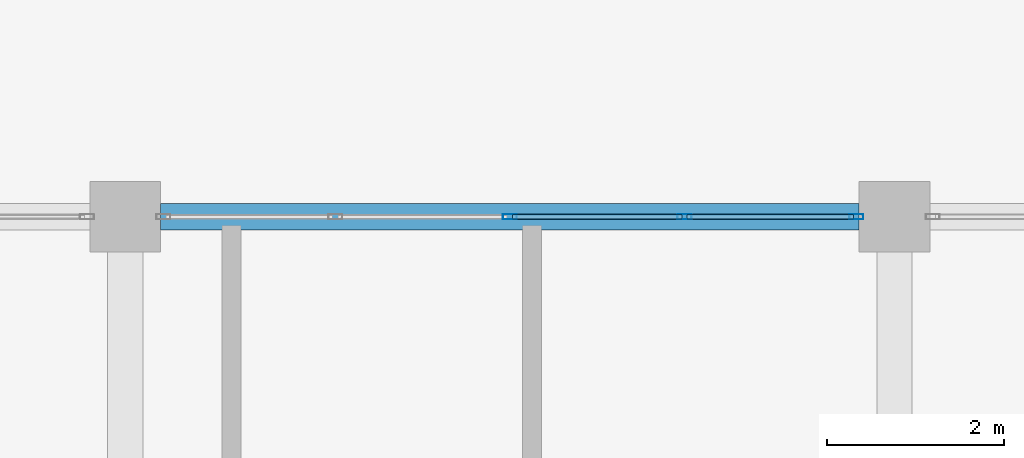
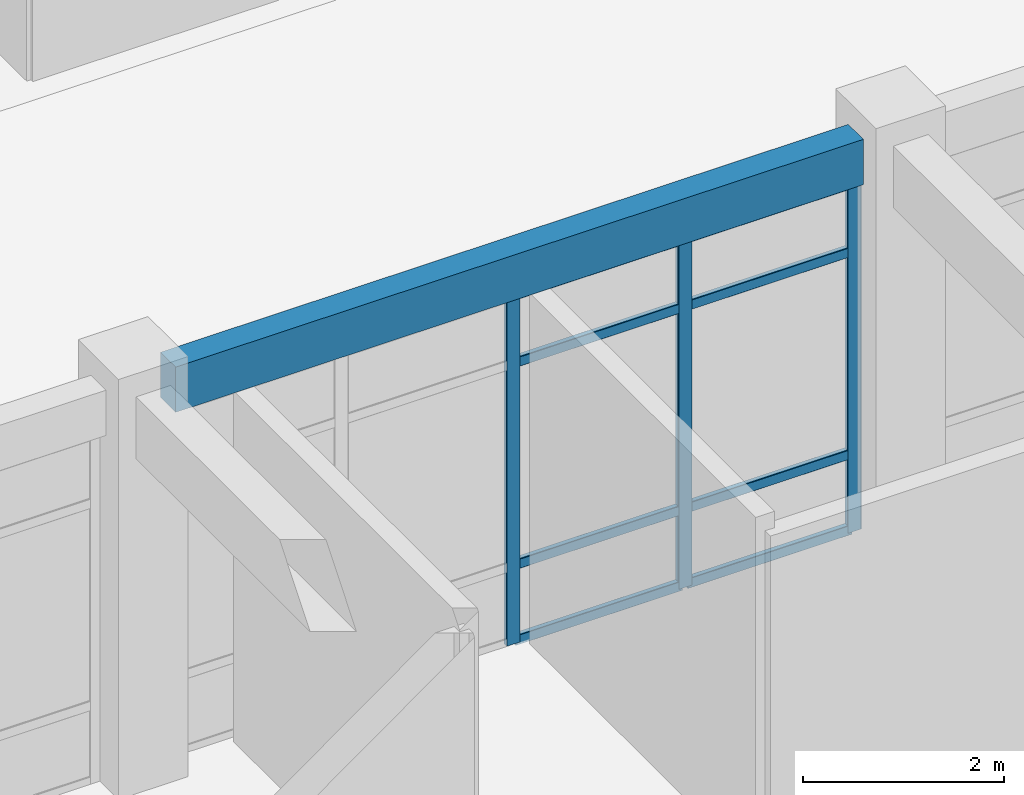
# One storey, part 54 of 124: 11 members, 1 beam, 1 element without a shape of its own.
"""IFC4 building model written with IfcOpenShell, lengths in metres."""

import ifcopenshell
import ifcopenshell.guid

model = None  # the IFC model being written
_history = None  # IfcOwnerHistory: only IFC2X3 demands one
_inside = {}  # id of a spatial element -> (the spatial element, [elements in it])
_under = {}  # id of a project, library or spatial element -> (it, [spatial elements below it])
_declared = {}  # id of a project -> (the project, [libraries it declares])
_typed = {}  # id of a type object -> (the type object, [elements of that type])
_made_of = {}  # id of a material, layer set ... -> (it, [elements and type objects made of it])


def new_model(schema):
    """Start an empty IFC model of exactly this schema.

    Asked for "IFC4X3", IfcOpenShell would pick the latest addendum, in which some entities
    have other attributes; the version numbers below select the first issue.
    IFC2X3 requires an IfcOwnerHistory on every rooted entity: one is made here for all.
    """
    global model, _history
    if schema == "IFC4X3":
        model = ifcopenshell.file(schema_version=(4, 3, 0, 0))
    else:
        model = ifcopenshell.file(schema=schema)
    _inside.clear()
    _under.clear()
    _declared.clear()
    _typed.clear()
    _made_of.clear()
    _history = None
    if model.schema == "IFC2X3":
        org = make("IfcOrganization", Name="unknown")
        user = make(
            "IfcPersonAndOrganization",
            ThePerson=make("IfcPerson", FamilyName="unknown"),
            TheOrganization=org,
        )
        app = make(
            "IfcApplication",
            ApplicationDeveloper=org,
            Version="unknown",
            ApplicationFullName="unknown",
            ApplicationIdentifier="unknown",
        )
        _history = make(
            "IfcOwnerHistory",
            OwningUser=user,
            OwningApplication=app,
            ChangeAction="ADDED",
            CreationDate=0,
        )
    return model


def make(cls, **values):
    """One entity of the class cls with the attributes given. An attribute that is None is left unset."""
    return model.create_entity(
        cls, **{name: value for name, value in values.items() if value is not None}
    )


def rooted(cls, **values):
    """An entity with a GlobalId (a new one), such as an element, a storey or a relation."""
    return make(cls, GlobalId=ifcopenshell.guid.new(), OwnerHistory=_history, **values)


def si_unit(unit_type, name, prefix=None):
    """IfcSIUnit, for example si_unit("LENGTHUNIT", "METRE", prefix="MILLI")."""
    return make("IfcSIUnit", UnitType=unit_type, Prefix=prefix, Name=name)


def derived_unit(unit_type, elements):
    """IfcDerivedUnit: a product of units, each with its exponent."""
    return make(
        "IfcDerivedUnit",
        Elements=[
            make("IfcDerivedUnitElement", Unit=unit, Exponent=power)
            for unit, power in elements
        ],
        UnitType=unit_type,
    )


def assignment(units):
    """IfcUnitAssignment: the units of a project."""
    return None if units is None else make("IfcUnitAssignment", Units=units)


def point(xyz):
    """IfcCartesianPoint."""
    return None if xyz is None else make("IfcCartesianPoint", Coordinates=xyz)


def direction(xyz):
    """IfcDirection."""
    return None if xyz is None else make("IfcDirection", DirectionRatios=xyz)


def frame(location, z_axis=None, x_axis=None):
    """IfcAxis2Placement3D, a coordinate frame: its origin and axes. An axis left out is left unset."""
    return make(
        "IfcAxis2Placement3D",
        Location=point(location),
        Axis=direction(z_axis),
        RefDirection=direction(x_axis),
    )


def frame_2d(location, x_axis=None):
    """IfcAxis2Placement2D, a coordinate frame in the plane: its origin and x axis."""
    return make(
        "IfcAxis2Placement2D", Location=point(location), RefDirection=direction(x_axis)
    )


def origin():
    """The frame at (0, 0, 0) with its axes left unset."""
    return frame((0.0, 0.0, 0.0))


def origin_2d():
    """The frame at (0, 0) in the plane with its x axis left unset."""
    return frame_2d((0.0, 0.0))


def place(relative_to, where):
    """IfcLocalPlacement: puts the frame where relative to a parent placement (None: the world)."""
    return make(
        "IfcLocalPlacement", PlacementRelTo=relative_to, RelativePlacement=where
    )


def context(
    kind, dimensions, precision=None, world=None, true_north=None, identifier=None
):
    """IfcGeometricRepresentationContext, for example the 3D "Model" context."""
    return make(
        "IfcGeometricRepresentationContext",
        ContextIdentifier=identifier,
        ContextType=kind,
        CoordinateSpaceDimension=dimensions,
        Precision=precision,
        WorldCoordinateSystem=world,
        TrueNorth=true_north,
    )


def subcontext(parent, identifier, kind, view, scale=None):
    """IfcGeometricRepresentationSubContext, for example "Body" below "Model"."""
    return make(
        "IfcGeometricRepresentationSubContext",
        ContextIdentifier=identifier,
        ContextType=kind,
        ParentContext=parent,
        TargetScale=scale,
        TargetView=view,
    )


def project(units=None, contexts=None):
    """IfcProject with its units and contexts."""
    return rooted(
        "IfcProject",
        Name="project",
        RepresentationContexts=contexts,
        UnitsInContext=assignment(units),
    )


def spatial(cls, under=None, at=None, **own):
    """A site, building, storey or space (cls), placed at a placement, below another one or the project."""
    s = rooted(cls, ObjectPlacement=at, **own)
    if under is not None:
        _under.setdefault(under.id(), (under, []))[1].append(s)
    return s


def profile(cls, at=None, kind="AREA", **sizes):
    """A parametric profile (cls). Its sizes go by their IFC names, for example OverallWidth=200.0."""
    return make(cls, ProfileType=kind, Position=at, **sizes)


def rectangle(**sizes):
    """IfcRectangleProfileDef."""
    return profile("IfcRectangleProfileDef", **sizes)


def hollow_rectangle(**sizes):
    """IfcRectangleHollowProfileDef."""
    return profile("IfcRectangleHollowProfileDef", **sizes)


def extrude(swept, where, along, depth):
    """IfcExtrudedAreaSolid: the profile swept, set in the frame where, extruded along a direction by depth."""
    return make(
        "IfcExtrudedAreaSolid",
        SweptArea=swept,
        Position=where,
        ExtrudedDirection=direction(along),
        Depth=depth,
    )


def shape(context_of_items, identifier, shape_type, items):
    """IfcShapeRepresentation: the items that make up one representation, for example the "Body"."""
    return make(
        "IfcShapeRepresentation",
        ContextOfItems=context_of_items,
        RepresentationIdentifier=identifier,
        RepresentationType=shape_type,
        Items=items,
    )


def material(Name=None, Category=None):
    """IfcMaterial."""
    return make("IfcMaterial", Name=Name, Category=Category)


def layer(
    of_material, thickness, ventilated=None, Name=None, Category=None, Priority=None
):
    """IfcMaterialLayer: one layer of a wall or slab, of a material (None: an air gap)."""
    return make(
        "IfcMaterialLayer",
        Material=of_material,
        LayerThickness=thickness,
        IsVentilated=ventilated,
        Name=Name,
        Category=Category,
        Priority=Priority,
    )


def layer_set(layers, Name=None):
    """IfcMaterialLayerSet."""
    return make("IfcMaterialLayerSet", MaterialLayers=layers, LayerSetName=Name)


def material_profile(
    of_material, cross_section, Name=None, Category=None, Priority=None
):
    """IfcMaterialProfile: a cross section and its material."""
    return make(
        "IfcMaterialProfile",
        Name=Name,
        Material=of_material,
        Profile=cross_section,
        Priority=Priority,
        Category=Category,
    )


def profile_set(profiles, Name=None, composite=None):
    """IfcMaterialProfileSet."""
    return make(
        "IfcMaterialProfileSet",
        Name=Name,
        MaterialProfiles=profiles,
        CompositeProfile=composite,
    )


def made_of(thing, what):
    """Note that an element or type object is made of a material, layer set ...; save() writes the relation."""
    if what is not None:
        _made_of.setdefault(what.id(), (what, []))[1].append(thing)
    return thing


def type_object(cls, material=None, **own):
    """A type object (cls), such as IfcWallType, which elements share."""
    return made_of(rooted(cls, **own), material)


def element(
    cls,
    number,
    at=None,
    inside=None,
    cuts=None,
    type_object=None,
    material=None,
    context=None,
    identifier="Body",
    shape_type=None,
    held_by="IfcProductDefinitionShape",
    body=None,
    shapes=None,
    **own,
):
    """One element of the class cls, such as IfcWall. Its Tag is "e" and its number.

    at: its placement. inside: the storey or other place that contains it. cuts: it is an
    opening in that element (IfcRelVoidsElement). A single representation is given by context,
    identifier, shape_type and body (its items); several are given by shapes. held_by: the class
    of the entity that holds the representations. save() writes the other relations.
    """
    e = rooted(cls, Tag="e%d" % number, ObjectPlacement=at, **own)
    if body is not None:
        shapes = [shape(context, identifier, shape_type, body)]
    if shapes is not None:
        e.Representation = make(held_by, Representations=shapes)
    if inside is not None:
        _inside.setdefault(inside.id(), (inside, []))[1].append(e)
    if cuts is not None:
        rooted(
            "IfcRelVoidsElement", RelatingBuildingElement=cuts, RelatedOpeningElement=e
        )
    if type_object is not None:
        _typed.setdefault(type_object.id(), (type_object, []))[1].append(e)
    return made_of(e, material)


def aggregate(whole, parts):
    """IfcRelAggregates: a whole, such as a stair, and the parts it consists of."""
    return rooted("IfcRelAggregates", RelatingObject=whole, RelatedObjects=parts)


def save(model, path):
    """Write the relations noted so far, then the file.

    IfcRelAggregates (storeys below a building ...), IfcRelContainedInSpatialStructure (elements
    in a storey), IfcRelDefinesByType, IfcRelAssociatesMaterial and IfcRelDeclares: one each for
    every whole, place, type object, material and project.
    """
    for whole, parts in _under.values():
        aggregate(whole, parts)
    for where, things in _inside.values():
        rooted(
            "IfcRelContainedInSpatialStructure",
            RelatedElements=things,
            RelatingStructure=where,
        )
    for kind, things in _typed.values():
        rooted("IfcRelDefinesByType", RelatedObjects=things, RelatingType=kind)
    for what, things in _made_of.values():
        rooted("IfcRelAssociatesMaterial", RelatedObjects=things, RelatingMaterial=what)
    for by, libraries in _declared.values():
        rooted("IfcRelDeclares", RelatingContext=by, RelatedDefinitions=libraries)
    model.write(path)


model = new_model("IFC4")

# Units and contexts
model_context = context("Model", 3, precision=1e-05, world=origin(), true_north=direction((0.0, 1.0)))
body_context = subcontext(model_context, "Body", "Model", "MODEL_VIEW")
ifc_project = project(units=[si_unit("LENGTHUNIT", "METRE"), si_unit("AREAUNIT", "SQUARE_METRE"), si_unit("VOLUMEUNIT", "CUBIC_METRE"), si_unit("PLANEANGLEUNIT", "RADIAN"), si_unit("MASSUNIT", "GRAM", prefix="KILO"), derived_unit("THERMALTRANSMITTANCEUNIT", [(si_unit("MASSUNIT", "GRAM", prefix="KILO"), 1), (si_unit("TIMEUNIT", "SECOND"), -3), (si_unit("THERMODYNAMICTEMPERATUREUNIT", "KELVIN"), -1)])], contexts=[model_context])

# Site, building, storey
site_placement = place(None, origin())
site = spatial("IfcSite", under=ifc_project, at=site_placement, CompositionType="ELEMENT")
building_placement = place(site_placement, origin())
building = spatial("IfcBuilding", under=site, at=building_placement, Name="Qinzheling Arcade Emporium", CompositionType="ELEMENT")
storey_placement = place(building_placement, frame((0.0, 0.0, 16.5)))
storey = spatial("IfcBuildingStorey", under=building, at=storey_placement, Name="L04", CompositionType="ELEMENT", Elevation=16.5)

# Curtain wall, members
ifc_material_1 = material(Name="Anodised aluminium and solar-control double glazing", Category="aluminium")
ifc_layer = layer(ifc_material_1, 0.159912109375, Name="Anodised aluminium and solar-control double glazing", Category="aluminium")
ifc_layer_set = layer_set([ifc_layer], Name="Anodised aluminium and solar-control double glazing")
curtain_wall_type = type_object("IfcCurtainWallType", Name="Atrium Clerestory Curtain Wall", PredefinedType="NOTDEFINED", material=ifc_layer_set)
curtain_wall_placement = place(storey_placement, origin())
curtain_wall = element("IfcCurtainWall", 1, at=curtain_wall_placement, inside=storey, type_object=curtain_wall_type, Name="Curtain Wall CW-L04-248", PredefinedType="NOTDEFINED")
ifc_material_2 = material(Name="Anodised aluminium 6063-T6", Category="aluminium")
ifc_material_profile_1 = material_profile(ifc_material_2, hollow_rectangle(XDim=0.06005859375, YDim=0.159912109375, WallThickness=0.00390625, InnerFilletRadius=0.00390625, OuterFilletRadius=0.008056640625, at=origin_2d()), Name="RHS 160x60x4", Category="aluminium")
ifc_profile_set_1 = profile_set([ifc_material_profile_1], Name="Anodised aluminium 6063-T6")
member_type_1 = type_object("IfcMemberType", Name="Curtain Wall Mullion RHS160x60", PredefinedType="MULLION", material=ifc_profile_set_1)
member_1_placement = place(storey_placement, frame((91.35009765625, 73.800048828125, 0.0), z_axis=(0.0, 0.0, 1.0), x_axis=(0.0, 1.0, 0.0)))
member_1 = element("IfcMember", 2, at=member_1_placement, type_object=member_type_1, Name="CW03 mullion 3", PredefinedType="MULLION", context=body_context, shape_type="SweptSolid", body=[
    extrude(hollow_rectangle(XDim=0.06005859375, YDim=0.159912109375, WallThickness=0.00390625, InnerFilletRadius=0.00390625, OuterFilletRadius=0.008056640625, at=origin_2d()), origin(), (0.0, 0.0, 1.0), 4.2548828125),
])
member_2_placement = place(storey_placement, frame((93.323974609375, 73.800048828125, 0.0), z_axis=(0.0, 0.0, 1.0), x_axis=(0.0, 1.0, 0.0)))
member_2 = element("IfcMember", 3, at=member_2_placement, type_object=member_type_1, Name="CW03 mullion 4", PredefinedType="MULLION", context=body_context, shape_type="SweptSolid", body=[
    extrude(hollow_rectangle(XDim=0.06005859375, YDim=0.159912109375, WallThickness=0.00390625, InnerFilletRadius=0.00390625, OuterFilletRadius=0.008056640625, at=origin_2d()), origin(), (0.0, 0.0, 1.0), 4.2548828125),
])
member_3_placement = place(storey_placement, frame((95.26806640625, 73.800048828125, 0.0), z_axis=(0.0, 0.0, 1.0), x_axis=(0.0, 1.0, 0.0)))
member_3 = element("IfcMember", 4, at=member_3_placement, type_object=member_type_1, Name="CW03 mullion 5", PredefinedType="MULLION", context=body_context, shape_type="SweptSolid", body=[
    extrude(hollow_rectangle(XDim=0.06005859375, YDim=0.159912109375, WallThickness=0.00390625, InnerFilletRadius=0.00390625, OuterFilletRadius=0.008056640625, at=origin_2d()), origin(), (0.0, 0.0, 1.0), 4.2548828125),
])
ifc_material_profile_2 = material_profile(ifc_material_2, hollow_rectangle(XDim=0.06005859375, YDim=0.1201171875, WallThickness=0.00390625, InnerFilletRadius=0.00390625, OuterFilletRadius=0.008056640625, at=origin_2d()), Name="RHS 120x60x4", Category="aluminium")
ifc_profile_set_2 = profile_set([ifc_material_profile_2], Name="Anodised aluminium 6063-T6")
member_type_2 = type_object("IfcMemberType", Name="Curtain Wall Transom RHS120x60", PredefinedType="USERDEFINED", material=ifc_profile_set_2)
member_4_placement = place(storey_placement, frame((91.3798828125, 73.800048828125, 0.030029296875), z_axis=(1.0, 0.0, 0.0), x_axis=(0.0, 1.0, 0.0)))
member_4 = element("IfcMember", 5, at=member_4_placement, type_object=member_type_2, Name="CW03 transom 3.1", ObjectType="TRANSOM", PredefinedType="USERDEFINED", context=body_context, shape_type="SweptSolid", body=[
    extrude(hollow_rectangle(XDim=0.06005859375, YDim=0.1201171875, WallThickness=0.00390625, InnerFilletRadius=0.00390625, OuterFilletRadius=0.008056640625, at=origin_2d()), origin(), (0.0, 0.0, 1.0), 1.9140625),
])
member_5_placement = place(storey_placement, frame((91.3798828125, 73.800048828125, 0.949951171875), z_axis=(1.0, 0.0, 0.0), x_axis=(0.0, 1.0, 0.0)))
member_5 = element("IfcMember", 6, at=member_5_placement, type_object=member_type_2, Name="CW03 transom 3.2", ObjectType="TRANSOM", PredefinedType="USERDEFINED", context=body_context, shape_type="SweptSolid", body=[
    extrude(hollow_rectangle(XDim=0.06005859375, YDim=0.1201171875, WallThickness=0.00390625, InnerFilletRadius=0.00390625, OuterFilletRadius=0.008056640625, at=origin_2d()), origin(), (0.0, 0.0, 1.0), 1.9140625),
])
member_6_placement = place(storey_placement, frame((91.3798828125, 73.800048828125, 3.405029296875), z_axis=(1.0, 0.0, 0.0), x_axis=(0.0, 1.0, 0.0)))
member_6 = element("IfcMember", 7, at=member_6_placement, type_object=member_type_2, Name="CW03 transom 3.3", ObjectType="TRANSOM", PredefinedType="USERDEFINED", context=body_context, shape_type="SweptSolid", body=[
    extrude(hollow_rectangle(XDim=0.06005859375, YDim=0.1201171875, WallThickness=0.00390625, InnerFilletRadius=0.00390625, OuterFilletRadius=0.008056640625, at=origin_2d()), origin(), (0.0, 0.0, 1.0), 1.9140625),
])
member_7_placement = place(storey_placement, frame((91.3798828125, 73.800048828125, 4.22509765625), z_axis=(1.0, 0.0, 0.0), x_axis=(0.0, 1.0, 0.0)))
member_7 = element("IfcMember", 8, at=member_7_placement, type_object=member_type_2, Name="CW03 transom 3.4", ObjectType="TRANSOM", PredefinedType="USERDEFINED", context=body_context, shape_type="SweptSolid", body=[
    extrude(hollow_rectangle(XDim=0.06005859375, YDim=0.1201171875, WallThickness=0.00390625, InnerFilletRadius=0.00390625, OuterFilletRadius=0.008056640625, at=origin_2d()), origin(), (0.0, 0.0, 1.0), 1.9140625),
])
member_8_placement = place(storey_placement, frame((93.35400390625, 73.800048828125, 0.030029296875), z_axis=(1.0, 0.0, 0.0), x_axis=(0.0, 1.0, 0.0)))
member_8 = element("IfcMember", 9, at=member_8_placement, type_object=member_type_2, Name="CW03 transom 4.1", ObjectType="TRANSOM", PredefinedType="USERDEFINED", context=body_context, shape_type="SweptSolid", body=[
    extrude(hollow_rectangle(XDim=0.06005859375, YDim=0.1201171875, WallThickness=0.00390625, InnerFilletRadius=0.00390625, OuterFilletRadius=0.008056640625, at=origin_2d()), origin(), (0.0, 0.0, 1.0), 1.884033203125),
])
member_9_placement = place(storey_placement, frame((93.35400390625, 73.800048828125, 0.949951171875), z_axis=(1.0, 0.0, 0.0), x_axis=(0.0, 1.0, 0.0)))
member_9 = element("IfcMember", 10, at=member_9_placement, type_object=member_type_2, Name="CW03 transom 4.2", ObjectType="TRANSOM", PredefinedType="USERDEFINED", context=body_context, shape_type="SweptSolid", body=[
    extrude(hollow_rectangle(XDim=0.06005859375, YDim=0.1201171875, WallThickness=0.00390625, InnerFilletRadius=0.00390625, OuterFilletRadius=0.008056640625, at=origin_2d()), origin(), (0.0, 0.0, 1.0), 1.884033203125),
])
member_10_placement = place(storey_placement, frame((93.35400390625, 73.800048828125, 3.405029296875), z_axis=(1.0, 0.0, 0.0), x_axis=(0.0, 1.0, 0.0)))
member_10 = element("IfcMember", 11, at=member_10_placement, type_object=member_type_2, Name="CW03 transom 4.3", ObjectType="TRANSOM", PredefinedType="USERDEFINED", context=body_context, shape_type="SweptSolid", body=[
    extrude(hollow_rectangle(XDim=0.06005859375, YDim=0.1201171875, WallThickness=0.00390625, InnerFilletRadius=0.00390625, OuterFilletRadius=0.008056640625, at=origin_2d()), origin(), (0.0, 0.0, 1.0), 1.884033203125),
])
member_11_placement = place(storey_placement, frame((93.35400390625, 73.800048828125, 4.22509765625), z_axis=(1.0, 0.0, 0.0), x_axis=(0.0, 1.0, 0.0)))
member_11 = element("IfcMember", 12, at=member_11_placement, type_object=member_type_2, Name="CW03 transom 4.4", ObjectType="TRANSOM", PredefinedType="USERDEFINED", context=body_context, shape_type="SweptSolid", body=[
    extrude(hollow_rectangle(XDim=0.06005859375, YDim=0.1201171875, WallThickness=0.00390625, InnerFilletRadius=0.00390625, OuterFilletRadius=0.008056640625, at=origin_2d()), origin(), (0.0, 0.0, 1.0), 1.884033203125),
])
aggregate(curtain_wall, [member_1, member_2, member_3, member_4, member_5, member_6, member_7, member_8, member_9, member_10, member_11])

# Beam
ifc_material_3 = material(Name="Concrete C40", Category="concrete")
ifc_material_profile_3 = material_profile(ifc_material_3, rectangle(XDim=0.300048828125, YDim=0.550048828125, at=origin_2d()), Name="RC 300x550", Category="concrete")
ifc_profile_set_3 = profile_set([ifc_material_profile_3], Name="Concrete C40")
beam_type = type_object("IfcBeamType", Name="RC Terrace Spandrel Beam 300x550 C40", PredefinedType="SPANDREL", material=ifc_profile_set_3)
beam_placement = place(storey_placement, frame((87.39990234375, 73.800048828125, 4.544921875), z_axis=(1.0, 0.0, 0.0), x_axis=(0.0, 1.0, 0.0)))
element("IfcBeam", 13, at=beam_placement, inside=storey, type_object=beam_type, Name="Beam BM-L04-X-J-11", PredefinedType="SPANDREL", context=body_context, shape_type="SweptSolid", body=[
    extrude(rectangle(XDim=0.300048828125, YDim=0.550048828125, at=origin_2d()), origin(), (0.0, 0.0, 1.0), 7.900146484375),
])

save(model, "model.ifc")
